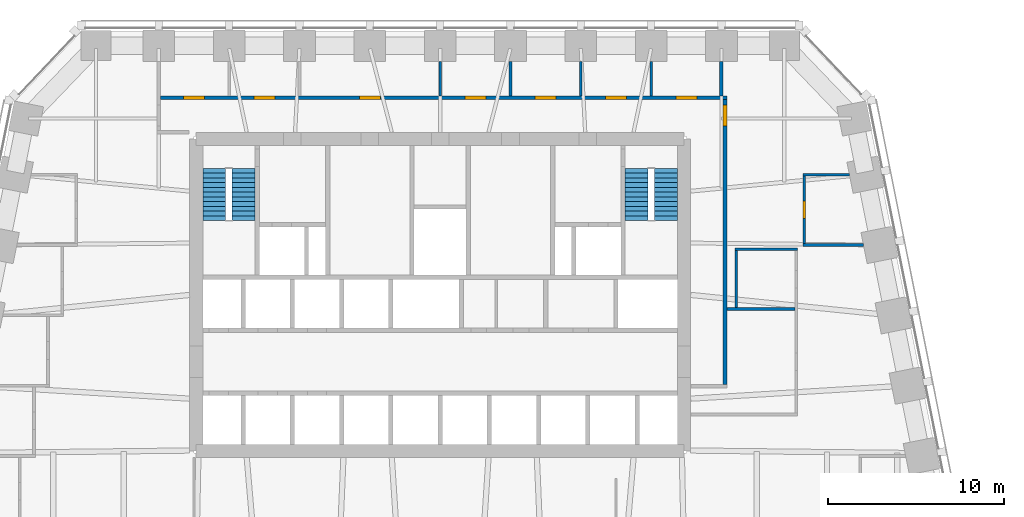
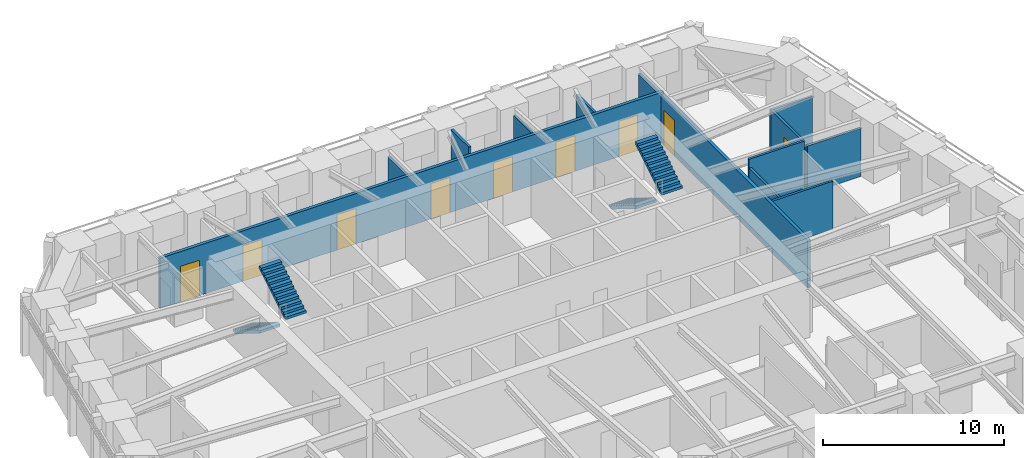
# One storey, part 8 of 10: 13 walls, 9 doors, 4 stair flights, 9 openings, 2 elements without a shape of their own.
"""IFC4 building model written with IfcOpenShell, lengths in metres."""

from ifc_helpers import new_model, si_unit, direction, frame, frame_2d, origin, place, context, subcontext, project, spatial, polyline, rectangle, outline, extrude, material, layer, layer_set, type_object, element, fill, aggregate, save


model = new_model("IFC4")

# Units and contexts
model_context = context("Model", 3, precision=1e-05, world=origin(), true_north=direction((0.0, 1.0)))
body_context = subcontext(model_context, "Body", "Model", "MODEL_VIEW")
ifc_project = project(units=[si_unit("LENGTHUNIT", "METRE"), si_unit("AREAUNIT", "SQUARE_METRE"), si_unit("VOLUMEUNIT", "CUBIC_METRE"), si_unit("PLANEANGLEUNIT", "RADIAN"), si_unit("MASSUNIT", "GRAM", prefix="KILO")], contexts=[model_context])

# Site, building, storey
site_placement = place(None, origin())
site = spatial("IfcSite", under=ifc_project, at=site_placement, CompositionType="ELEMENT")
building_placement = place(site_placement, origin())
building = spatial("IfcBuilding", under=site, at=building_placement, Name="Isbrekke Arena Tower", CompositionType="ELEMENT")
storey_placement = place(building_placement, frame((0.0, 0.0, 159.0)))
storey = spatial("IfcBuildingStorey", under=building, at=storey_placement, Name="L36", CompositionType="ELEMENT", Elevation=159.0)

# Walls
ifc_material_1 = material(Name="Gypsum board partition on steel studs", Category="steel")
ifc_layer_1 = layer(ifc_material_1, 0.14990234375)
ifc_layer_set_1 = layer_set([ifc_layer_1], Name="IW1 PARTITION 150")
wall_type_1 = type_object("IfcWallType", Name="IW1 PARTITION 150", PredefinedType="PARTITIONING", material=ifc_layer_set_1)
wall_1_placement = place(storey_placement, frame((16.300048828125, 14.199951171875, 0.0), z_axis=(0.0, 0.0, 1.0), x_axis=(1.0, 0.0, 0.0)))
element("IfcWall", 1, at=wall_1_placement, inside=storey, type_object=wall_type_1, Name="IW1 partition 150 L36", PredefinedType="PARTITIONING", context=body_context, shape_type="SweptSolid", body=[
    extrude(rectangle(XDim=3.875, YDim=0.14990234375, at=frame_2d((1.9375, 0.0))), origin(), (0.0, 0.0, 1.0), 3.25),
])
wall_2_placement = place(storey_placement, frame((16.77490234375, 17.60009765625, 0.0), z_axis=(0.0, 0.0, 1.0), x_axis=(1.0, 0.0, 0.0)))
element("IfcWall", 2, at=wall_2_placement, inside=storey, type_object=wall_type_1, Name="IW1 partition 150 L36", PredefinedType="PARTITIONING", context=body_context, shape_type="SweptSolid", body=[
    extrude(rectangle(XDim=3.550048828125, YDim=0.14990234375, at=frame_2d((1.77490234375, 0.0))), origin(), (0.0, 0.0, 1.0), 3.85009765625),
])
wall_3_placement = place(storey_placement, frame((20.625, 17.840087890625, 0.0), z_axis=(0.0, 0.0, 1.0), x_axis=(1.0, 0.0, 0.0)))
element("IfcWall", 3, at=wall_3_placement, inside=storey, type_object=wall_type_1, Name="IW1 partition 150 L36", PredefinedType="PARTITIONING", context=body_context, shape_type="SweptSolid", body=[
    extrude(rectangle(XDim=3.44775390625, YDim=0.14990234375, at=frame_2d((1.723876953125, 0.0))), origin(), (0.0, 0.0, 1.0), 3.25),
])
wall_4_placement = place(storey_placement, frame((20.625, 21.840087890625, 0.0), z_axis=(0.0, 0.0, 1.0), x_axis=(1.0, 0.0, 0.0)))
element("IfcWall", 4, at=wall_4_placement, inside=storey, type_object=wall_type_1, Name="IW1 partition 150 L36", PredefinedType="PARTITIONING", context=body_context, shape_type="SweptSolid", body=[
    extrude(rectangle(XDim=2.647705078125, YDim=0.14990234375, at=frame_2d((1.32373046875, 0.0))), origin(), (0.0, 0.0, 1.0), 3.25),
])
wall_5_placement = place(storey_placement, frame((0.0, 26.300048828125, 0.0), z_axis=(0.0, 0.0, 1.0), x_axis=(0.0, 1.0, 0.0)))
element("IfcWall", 5, at=wall_5_placement, inside=storey, type_object=wall_type_1, Name="IW1 partition 150 L36", PredefinedType="PARTITIONING", context=body_context, shape_type="SweptSolid", body=[
    extrude(rectangle(XDim=1.974853515625, YDim=0.14990234375, at=frame_2d((0.9873046875, 0.0))), origin(), (0.0, 0.0, 1.0), 3.39990234375),
])
wall_6_placement = place(storey_placement, frame((4.0, 26.300048828125, 0.0), z_axis=(0.0, 0.0, 1.0), x_axis=(0.0, 1.0, 0.0)))
element("IfcWall", 6, at=wall_6_placement, inside=storey, type_object=wall_type_1, Name="IW1 partition 150 L36", PredefinedType="PARTITIONING", context=body_context, shape_type="SweptSolid", body=[
    extrude(rectangle(XDim=1.974853515625, YDim=0.14990234375, at=frame_2d((0.9873046875, 0.0))), origin(), (0.0, 0.0, 1.0), 3.85009765625),
])
for number, where, z_axis, x_axis, name in (
    (7, (8.0, 26.300048828125, 0.0), (0.0, 0.0, 1.0), (0.0, 1.0, 0.0), "IW1 partition 150 L36"),
    (8, (12.0, 26.300048828125, 0.0), (0.0, 0.0, 1.0), (0.0, 1.0, 0.0), "IW1 partition 150 L36"),
):
    element("IfcWall", number, at=place(storey_placement, frame(where, z_axis=z_axis, x_axis=x_axis)), inside=storey, type_object=wall_type_1, Name=name, PredefinedType="PARTITIONING", context=body_context, shape_type="SweptSolid", body=[
        extrude(rectangle(XDim=1.974853515625, YDim=0.14990234375, at=frame_2d((0.9873046875, 0.0))), origin(), (0.0, 0.0, 1.0), 3.39990234375),
    ])
wall_7_placement = place(storey_placement, frame((16.85009765625, 14.27490234375, 0.0), z_axis=(0.0, 0.0, 1.0), x_axis=(0.0, 1.0, 0.0)))
element("IfcWall", 9, at=wall_7_placement, inside=storey, type_object=wall_type_1, Name="IW1 partition 150 L36", PredefinedType="PARTITIONING", context=body_context, shape_type="SweptSolid", body=[
    extrude(rectangle(XDim=3.25, YDim=0.14990234375, at=frame_2d((1.625, 0.0))), origin(), (0.0, 0.0, 1.0), 3.25),
])

# Wall, opening, door
wall_8_placement = place(storey_placement, frame((20.699951171875, 17.9150390625, 0.0), z_axis=(0.0, 0.0, 1.0), x_axis=(0.0, 1.0, 0.0)))
wall_8 = element("IfcWall", 10, at=wall_8_placement, inside=storey, type_object=wall_type_1, Name="IW1 partition 150 L36", PredefinedType="PARTITIONING", context=body_context, shape_type="SweptSolid", body=[
    extrude(rectangle(XDim=3.849853515625, YDim=0.14990234375, at=frame_2d((1.9248046875, 0.0))), origin(), (0.0, 0.0, 1.0), 3.25),
])
opening_1_placement = place(wall_8_placement, frame((1.425048828125, 0.0, 0.0)))
opening_1 = element("IfcOpeningElement", 11, at=opening_1_placement, cuts=wall_8, Name="Opening D10", PredefinedType="OPENING", context=body_context, shape_type="SweptSolid", body=[
    extrude(rectangle(XDim=1.0, YDim=2.300048828125, at=frame_2d((0.5, 1.14990234375))), frame((0.0, 0.08984375, 0.0), z_axis=(0.0, -1.0, 0.0), x_axis=(1.0, 0.0, 0.0)), (0.0, 0.0, 1.0), 0.1796875),
])
ifc_material_2 = material(Name="Timber door", Category="wood")
door_type_1 = type_object("IfcDoorType", Name="D10 OFFICE DOOR 1000 x 2300", OperationType="SINGLE_SWING_LEFT", PredefinedType="DOOR", material=ifc_material_2)
door_1_placement = place(opening_1_placement, origin())
door_1 = element("IfcDoor", 12, at=door_1_placement, inside=storey, type_object=door_type_1, Name="D10 office door L36", OperationType="SINGLE_SWING_LEFT", OverallHeight=2.300048828125, OverallWidth=1.0, PredefinedType="DOOR", context=body_context, shape_type="SweptSolid", body=[
    extrude(rectangle(XDim=1.0, YDim=2.300048828125, at=frame_2d((0.5, 1.14990234375))), frame((0.0, 0.07470703125, 0.0), z_axis=(0.0, -1.0, 0.0), x_axis=(1.0, 0.0, 0.0)), (0.0, 0.0, 1.0), 0.1494140625),
])
fill(opening_1, door_1)

# Wall, openings, doors
ifc_material_3 = material(Name="Gypsum board fire-cell wall on steel studs, two layers each side", Category="steel")
ifc_layer_2 = layer(ifc_material_3, 0.199951171875)
ifc_layer_set_2 = layer_set([ifc_layer_2], Name="IW3 FIRE-CELL WALL 200")
wall_type_2 = type_object("IfcWallType", Name="IW3 FIRE-CELL WALL 200", PredefinedType="PARTITIONING", material=ifc_layer_set_2)
wall_9_placement = place(storey_placement, frame((-15.89990234375, 26.199951171875, 0.0), z_axis=(0.0, 0.0, 1.0), x_axis=(1.0, 0.0, 0.0)))
wall_9 = element("IfcWall", 13, at=wall_9_placement, inside=storey, type_object=wall_type_2, Name="IW3 fire-cell wall 200 L36", PredefinedType="PARTITIONING", context=body_context, shape_type="SweptSolid", body=[
    extrude(rectangle(XDim=32.199951171875, YDim=0.199951171875, at=frame_2d((16.10009765625, 0.0))), origin(), (0.0, 0.0, 1.0), 3.39990234375),
])
opening_2_placement = place(wall_9_placement, frame((1.300048828125, 0.0, 0.0)))
opening_2 = element("IfcOpeningElement", 14, at=opening_2_placement, cuts=wall_9, Name="Opening D12", PredefinedType="OPENING", context=body_context, shape_type="SweptSolid", body=[
    extrude(rectangle(XDim=1.199951171875, YDim=2.39990234375, at=frame_2d((0.60009765625, 1.199951171875))), frame((0.0, 0.11474609375, 0.0), z_axis=(0.0, -1.0, 0.0), x_axis=(1.0, 0.0, 0.0)), (0.0, 0.0, 1.0), 0.229736328125),
])
opening_3_placement = place(wall_9_placement, frame((5.300048828125, 0.0, 0.0)))
opening_3 = element("IfcOpeningElement", 15, at=opening_3_placement, cuts=wall_9, Name="Opening D12", PredefinedType="OPENING", context=body_context, shape_type="SweptSolid", body=[
    extrude(rectangle(XDim=1.199951171875, YDim=2.39990234375, at=frame_2d((0.60009765625, 1.199951171875))), frame((0.0, 0.11474609375, 0.0), z_axis=(0.0, -1.0, 0.0), x_axis=(1.0, 0.0, 0.0)), (0.0, 0.0, 1.0), 0.229736328125),
])
opening_4_placement = place(wall_9_placement, frame((11.300048828125, 0.0, 0.0)))
opening_4 = element("IfcOpeningElement", 16, at=opening_4_placement, cuts=wall_9, Name="Opening D12", PredefinedType="OPENING", context=body_context, shape_type="SweptSolid", body=[
    extrude(rectangle(XDim=1.199951171875, YDim=2.39990234375, at=frame_2d((0.60009765625, 1.199951171875))), frame((0.0, 0.11474609375, 0.0), z_axis=(0.0, -1.0, 0.0), x_axis=(1.0, 0.0, 0.0)), (0.0, 0.0, 1.0), 0.229736328125),
])
opening_5_placement = place(wall_9_placement, frame((17.300048828125, 0.0, 0.0)))
opening_5 = element("IfcOpeningElement", 17, at=opening_5_placement, cuts=wall_9, Name="Opening D12", PredefinedType="OPENING", context=body_context, shape_type="SweptSolid", body=[
    extrude(rectangle(XDim=1.199951171875, YDim=2.39990234375, at=frame_2d((0.60009765625, 1.199951171875))), frame((0.0, 0.11474609375, 0.0), z_axis=(0.0, -1.0, 0.0), x_axis=(1.0, 0.0, 0.0)), (0.0, 0.0, 1.0), 0.229736328125),
])
opening_6_placement = place(wall_9_placement, frame((21.300048828125, 0.0, 0.0)))
opening_6 = element("IfcOpeningElement", 18, at=opening_6_placement, cuts=wall_9, Name="Opening D12", PredefinedType="OPENING", context=body_context, shape_type="SweptSolid", body=[
    extrude(rectangle(XDim=1.199951171875, YDim=2.39990234375, at=frame_2d((0.60009765625, 1.199951171875))), frame((0.0, 0.11474609375, 0.0), z_axis=(0.0, -1.0, 0.0), x_axis=(1.0, 0.0, 0.0)), (0.0, 0.0, 1.0), 0.229736328125),
])
opening_7_placement = place(wall_9_placement, frame((25.300048828125, 0.0, 0.0)))
opening_7 = element("IfcOpeningElement", 19, at=opening_7_placement, cuts=wall_9, Name="Opening D12", PredefinedType="OPENING", context=body_context, shape_type="SweptSolid", body=[
    extrude(rectangle(XDim=1.199951171875, YDim=2.39990234375, at=frame_2d((0.60009765625, 1.199951171875))), frame((0.0, 0.11474609375, 0.0), z_axis=(0.0, -1.0, 0.0), x_axis=(1.0, 0.0, 0.0)), (0.0, 0.0, 1.0), 0.229736328125),
])
opening_8_placement = place(wall_9_placement, frame((29.300048828125, 0.0, 0.0)))
opening_8 = element("IfcOpeningElement", 20, at=opening_8_placement, cuts=wall_9, Name="Opening D12", PredefinedType="OPENING", context=body_context, shape_type="SweptSolid", body=[
    extrude(rectangle(XDim=1.199951171875, YDim=2.39990234375, at=frame_2d((0.60009765625, 1.199951171875))), frame((0.0, 0.11474609375, 0.0), z_axis=(0.0, -1.0, 0.0), x_axis=(1.0, 0.0, 0.0)), (0.0, 0.0, 1.0), 0.229736328125),
])
ifc_material_4 = material(Name="Timber fire door with vision panel", Category="wood")
door_type_2 = type_object("IfcDoorType", Name="D12 SUITE ENTRANCE DOOR 1200 x 2400", OperationType="SINGLE_SWING_LEFT", PredefinedType="DOOR", material=ifc_material_4)
door_2_placement = place(opening_2_placement, origin())
door_2 = element("IfcDoor", 21, at=door_2_placement, inside=storey, type_object=door_type_2, Name="D12 office door L36", OperationType="SINGLE_SWING_LEFT", OverallHeight=2.39990234375, OverallWidth=1.199951171875, PredefinedType="DOOR", context=body_context, shape_type="SweptSolid", body=[
    extrude(rectangle(XDim=1.199951171875, YDim=2.39990234375, at=frame_2d((0.60009765625, 1.199951171875))), frame((0.0, 0.099609375, 0.0), z_axis=(0.0, -1.0, 0.0), x_axis=(1.0, 0.0, 0.0)), (0.0, 0.0, 1.0), 0.199462890625),
])
fill(opening_2, door_2)
door_3_placement = place(opening_3_placement, origin())
door_3 = element("IfcDoor", 22, at=door_3_placement, inside=storey, type_object=door_type_2, Name="D12 office door L36", OperationType="SINGLE_SWING_LEFT", OverallHeight=2.39990234375, OverallWidth=1.199951171875, PredefinedType="DOOR", context=body_context, shape_type="SweptSolid", body=[
    extrude(rectangle(XDim=1.199951171875, YDim=2.39990234375, at=frame_2d((0.60009765625, 1.199951171875))), frame((0.0, 0.099609375, 0.0), z_axis=(0.0, -1.0, 0.0), x_axis=(1.0, 0.0, 0.0)), (0.0, 0.0, 1.0), 0.199462890625),
])
fill(opening_3, door_3)
door_4_placement = place(opening_4_placement, origin())
door_4 = element("IfcDoor", 23, at=door_4_placement, inside=storey, type_object=door_type_2, Name="D12 meeting room door L36", OperationType="SINGLE_SWING_LEFT", OverallHeight=2.39990234375, OverallWidth=1.199951171875, PredefinedType="DOOR", context=body_context, shape_type="SweptSolid", body=[
    extrude(rectangle(XDim=1.199951171875, YDim=2.39990234375, at=frame_2d((0.60009765625, 1.199951171875))), frame((0.0, 0.099609375, 0.0), z_axis=(0.0, -1.0, 0.0), x_axis=(1.0, 0.0, 0.0)), (0.0, 0.0, 1.0), 0.199462890625),
])
fill(opening_4, door_4)
door_5_placement = place(opening_5_placement, origin())
door_5 = element("IfcDoor", 24, at=door_5_placement, inside=storey, type_object=door_type_2, Name="D12 store door L36", OperationType="SINGLE_SWING_LEFT", OverallHeight=2.39990234375, OverallWidth=1.199951171875, PredefinedType="DOOR", context=body_context, shape_type="SweptSolid", body=[
    extrude(rectangle(XDim=1.199951171875, YDim=2.39990234375, at=frame_2d((0.60009765625, 1.199951171875))), frame((0.0, 0.099609375, 0.0), z_axis=(0.0, -1.0, 0.0), x_axis=(1.0, 0.0, 0.0)), (0.0, 0.0, 1.0), 0.199462890625),
])
fill(opening_5, door_5)
door_6_placement = place(opening_6_placement, origin())
door_6 = element("IfcDoor", 25, at=door_6_placement, inside=storey, type_object=door_type_2, Name="D12 office door L36", OperationType="SINGLE_SWING_LEFT", OverallHeight=2.39990234375, OverallWidth=1.199951171875, PredefinedType="DOOR", context=body_context, shape_type="SweptSolid", body=[
    extrude(rectangle(XDim=1.199951171875, YDim=2.39990234375, at=frame_2d((0.60009765625, 1.199951171875))), frame((0.0, 0.099609375, 0.0), z_axis=(0.0, -1.0, 0.0), x_axis=(1.0, 0.0, 0.0)), (0.0, 0.0, 1.0), 0.199462890625),
])
fill(opening_6, door_6)
door_7_placement = place(opening_7_placement, origin())
door_7 = element("IfcDoor", 26, at=door_7_placement, inside=storey, type_object=door_type_2, Name="D12 office door L36", OperationType="SINGLE_SWING_LEFT", OverallHeight=2.39990234375, OverallWidth=1.199951171875, PredefinedType="DOOR", context=body_context, shape_type="SweptSolid", body=[
    extrude(rectangle(XDim=1.199951171875, YDim=2.39990234375, at=frame_2d((0.60009765625, 1.199951171875))), frame((0.0, 0.099609375, 0.0), z_axis=(0.0, -1.0, 0.0), x_axis=(1.0, 0.0, 0.0)), (0.0, 0.0, 1.0), 0.199462890625),
])
fill(opening_7, door_7)
door_8_placement = place(opening_8_placement, origin())
door_8 = element("IfcDoor", 27, at=door_8_placement, inside=storey, type_object=door_type_2, Name="D12 office door L36", OperationType="SINGLE_SWING_LEFT", OverallHeight=2.39990234375, OverallWidth=1.199951171875, PredefinedType="DOOR", context=body_context, shape_type="SweptSolid", body=[
    extrude(rectangle(XDim=1.199951171875, YDim=2.39990234375, at=frame_2d((0.60009765625, 1.199951171875))), frame((0.0, 0.099609375, 0.0), z_axis=(0.0, -1.0, 0.0), x_axis=(1.0, 0.0, 0.0)), (0.0, 0.0, 1.0), 0.199462890625),
])
fill(opening_8, door_8)

# Wall
wall_10_placement = place(storey_placement, frame((16.0, 26.300048828125, 0.0), z_axis=(0.0, 0.0, 1.0), x_axis=(0.0, 1.0, 0.0)))
element("IfcWall", 28, at=wall_10_placement, inside=storey, type_object=wall_type_2, Name="IW3 fire-cell wall 200 L36", PredefinedType="PARTITIONING", context=body_context, shape_type="SweptSolid", body=[
    extrude(rectangle(XDim=1.974853515625, YDim=0.199951171875, at=frame_2d((0.9873046875, 0.0))), origin(), (0.0, 0.0, 1.0), 3.39990234375),
])

# Wall, opening, door
wall_11_placement = place(storey_placement, frame((16.199951171875, 9.89990234375, 0.0), z_axis=(0.0, 0.0, 1.0), x_axis=(0.0, 1.0, 0.0)))
wall_11 = element("IfcWall", 29, at=wall_11_placement, inside=storey, type_object=wall_type_2, Name="IW3 fire-cell wall 200 L36", PredefinedType="PARTITIONING", context=body_context, shape_type="SweptSolid", body=[
    extrude(rectangle(XDim=16.2001953125, YDim=0.199951171875, at=frame_2d((8.10009765625, 0.0))), origin(), (0.0, 0.0, 1.0), 3.25),
])
opening_9_placement = place(wall_11_placement, frame((14.699951171875, 0.0, 0.0)))
opening_9 = element("IfcOpeningElement", 30, at=opening_9_placement, cuts=wall_11, Name="Opening D12", PredefinedType="OPENING", context=body_context, shape_type="SweptSolid", body=[
    extrude(rectangle(XDim=1.199951171875, YDim=2.39990234375, at=frame_2d((0.60009765625, 1.199951171875))), frame((0.0, 0.11474609375, 0.0), z_axis=(0.0, -1.0, 0.0), x_axis=(1.0, 0.0, 0.0)), (0.0, 0.0, 1.0), 0.229736328125),
])
door_9_placement = place(opening_9_placement, origin())
door_9 = element("IfcDoor", 31, at=door_9_placement, inside=storey, type_object=door_type_2, Name="D12 suite entrance A door L36", OperationType="SINGLE_SWING_LEFT", OverallHeight=2.39990234375, OverallWidth=1.199951171875, PredefinedType="DOOR", context=body_context, shape_type="SweptSolid", body=[
    extrude(rectangle(XDim=1.199951171875, YDim=2.39990234375, at=frame_2d((0.60009765625, 1.199951171875))), frame((0.0, 0.099609375, 0.0), z_axis=(0.0, -1.0, 0.0), x_axis=(1.0, 0.0, 0.0)), (0.0, 0.0, 1.0), 0.199462890625),
])
fill(opening_9, door_9)

# Stair, stair flights
ifc_material_5 = material(Name="Concrete B45 (C45/55) precast", Category="concrete")
stair_type = type_object("IfcStairType", Name="ST40 STAIR 1300 WIDE, 24 RISERS 167", PredefinedType="HALF_TURN_STAIR", material=ifc_material_5)
stair_1_placement = place(storey_placement, origin())
stair_1 = element("IfcStair", 32, at=stair_1_placement, inside=storey, type_object=stair_type, Name="ST1 stair L36", PredefinedType="HALF_TURN_STAIR")
ifc_material_6 = material(Name="Concrete B45 (C45/55) precast", Category="concrete")
stair_flight_type = type_object("IfcStairFlightType", Name="SF 1300 FLIGHT", PredefinedType="STRAIGHT", material=ifc_material_6)
stair_flight_1_placement = place(storey_placement, frame((-12.85009765625, 22.199951171875, 0.0), z_axis=(0.0, 0.0, 1.0), x_axis=(0.0, -1.0, 0.0)))
stair_flight_1 = element("IfcStairFlight", 33, at=stair_flight_1_placement, type_object=stair_flight_type, Name="ST1 flight 1", NumberOfRisers=12, NumberOfTreads=11, PredefinedType="STRAIGHT", RiserHeight=0.166666667, TreadLength=0.27, context=body_context, shape_type="SweptSolid", body=[
    extrude(outline(polyline([(0.0, 0.0), (0.0, 0.166748046875), (0.27001953125, 0.166748046875), (0.27001953125, 0.333251953125), (0.5400390625, 0.333251953125), (0.5400390625, 0.5), (0.81005859375, 0.5), (0.81005859375, 0.666748046875), (1.080078125, 0.666748046875), (1.080078125, 0.833251953125), (1.35009765625, 0.833251953125), (1.35009765625, 1.0), (1.6201171875, 1.0), (1.6201171875, 1.166748046875), (1.889892578125, 1.166748046875), (1.889892578125, 1.333251953125), (2.159912109375, 1.333251953125), (2.159912109375, 1.5), (2.429931640625, 1.5), (2.429931640625, 1.666748046875), (2.699951171875, 1.666748046875), (2.699951171875, 1.833251953125), (2.969970703125, 1.833251953125), (2.969970703125, 2.0), (2.969970703125, 1.6572265625), (0.285400390625, 0.0), (0.0, 0.0)])), frame((0.0, 0.64990234375, 0.0), z_axis=(0.0, -1.0, 0.0), x_axis=(1.0, 0.0, 0.0)), (0.0, 0.0, 1.0), 1.300048828125),
])
stair_flight_2_placement = place(storey_placement, frame((-11.175048828125, 19.22998046875, 2.0), z_axis=(0.0, 0.0, 1.0), x_axis=(0.0, 1.0, 0.0)))
stair_flight_2 = element("IfcStairFlight", 34, at=stair_flight_2_placement, type_object=stair_flight_type, Name="ST1 flight 2", NumberOfRisers=12, NumberOfTreads=11, PredefinedType="STRAIGHT", RiserHeight=0.166666667, TreadLength=0.27, context=body_context, shape_type="SweptSolid", body=[
    extrude(outline(polyline([(0.0, 0.0), (0.0, 0.166748046875), (0.27001953125, 0.166748046875), (0.27001953125, 0.333251953125), (0.5400390625, 0.333251953125), (0.5400390625, 0.5), (0.81005859375, 0.5), (0.81005859375, 0.666748046875), (1.080078125, 0.666748046875), (1.080078125, 0.833251953125), (1.35009765625, 0.833251953125), (1.35009765625, 1.0), (1.6201171875, 1.0), (1.6201171875, 1.166748046875), (1.889892578125, 1.166748046875), (1.889892578125, 1.333251953125), (2.159912109375, 1.333251953125), (2.159912109375, 1.5), (2.429931640625, 1.5), (2.429931640625, 1.666748046875), (2.699951171875, 1.666748046875), (2.699951171875, 1.833251953125), (2.969970703125, 1.833251953125), (2.969970703125, 2.0), (2.969970703125, 1.6572265625), (0.285400390625, 0.0), (0.0, 0.0)])), frame((0.0, 0.64990234375, 0.0), z_axis=(0.0, -1.0, 0.0), x_axis=(1.0, 0.0, 0.0)), (0.0, 0.0, 1.0), 1.300048828125),
])
aggregate(stair_1, [stair_flight_1, stair_flight_2])

stair_2_placement = place(storey_placement, origin())
stair_2 = element("IfcStair", 35, at=stair_2_placement, inside=storey, type_object=stair_type, Name="ST2 stair L36", PredefinedType="HALF_TURN_STAIR")
stair_flight_3_placement = place(storey_placement, frame((11.175048828125, 22.199951171875, 0.0), z_axis=(0.0, 0.0, 1.0), x_axis=(0.0, -1.0, 0.0)))
stair_flight_3 = element("IfcStairFlight", 36, at=stair_flight_3_placement, type_object=stair_flight_type, Name="ST2 flight 1", NumberOfRisers=12, NumberOfTreads=11, PredefinedType="STRAIGHT", RiserHeight=0.166666667, TreadLength=0.27, context=body_context, shape_type="SweptSolid", body=[
    extrude(outline(polyline([(0.0, 0.0), (0.0, 0.166748046875), (0.27001953125, 0.166748046875), (0.27001953125, 0.333251953125), (0.5400390625, 0.333251953125), (0.5400390625, 0.5), (0.81005859375, 0.5), (0.81005859375, 0.666748046875), (1.080078125, 0.666748046875), (1.080078125, 0.833251953125), (1.35009765625, 0.833251953125), (1.35009765625, 1.0), (1.6201171875, 1.0), (1.6201171875, 1.166748046875), (1.889892578125, 1.166748046875), (1.889892578125, 1.333251953125), (2.159912109375, 1.333251953125), (2.159912109375, 1.5), (2.429931640625, 1.5), (2.429931640625, 1.666748046875), (2.699951171875, 1.666748046875), (2.699951171875, 1.833251953125), (2.969970703125, 1.833251953125), (2.969970703125, 2.0), (2.969970703125, 1.6572265625), (0.285400390625, 0.0), (0.0, 0.0)])), frame((0.0, 0.64990234375, 0.0), z_axis=(0.0, -1.0, 0.0), x_axis=(1.0, 0.0, 0.0)), (0.0, 0.0, 1.0), 1.300048828125),
])
stair_flight_4_placement = place(storey_placement, frame((12.85009765625, 19.22998046875, 2.0), z_axis=(0.0, 0.0, 1.0), x_axis=(0.0, 1.0, 0.0)))
stair_flight_4 = element("IfcStairFlight", 37, at=stair_flight_4_placement, type_object=stair_flight_type, Name="ST2 flight 2", NumberOfRisers=12, NumberOfTreads=11, PredefinedType="STRAIGHT", RiserHeight=0.166666667, TreadLength=0.27, context=body_context, shape_type="SweptSolid", body=[
    extrude(outline(polyline([(0.0, 0.0), (0.0, 0.166748046875), (0.27001953125, 0.166748046875), (0.27001953125, 0.333251953125), (0.5400390625, 0.333251953125), (0.5400390625, 0.5), (0.81005859375, 0.5), (0.81005859375, 0.666748046875), (1.080078125, 0.666748046875), (1.080078125, 0.833251953125), (1.35009765625, 0.833251953125), (1.35009765625, 1.0), (1.6201171875, 1.0), (1.6201171875, 1.166748046875), (1.889892578125, 1.166748046875), (1.889892578125, 1.333251953125), (2.159912109375, 1.333251953125), (2.159912109375, 1.5), (2.429931640625, 1.5), (2.429931640625, 1.666748046875), (2.699951171875, 1.666748046875), (2.699951171875, 1.833251953125), (2.969970703125, 1.833251953125), (2.969970703125, 2.0), (2.969970703125, 1.6572265625), (0.285400390625, 0.0), (0.0, 0.0)])), frame((0.0, 0.64990234375, 0.0), z_axis=(0.0, -1.0, 0.0), x_axis=(1.0, 0.0, 0.0)), (0.0, 0.0, 1.0), 1.300048828125),
])
aggregate(stair_2, [stair_flight_3, stair_flight_4])

save(model, "model.ifc")
